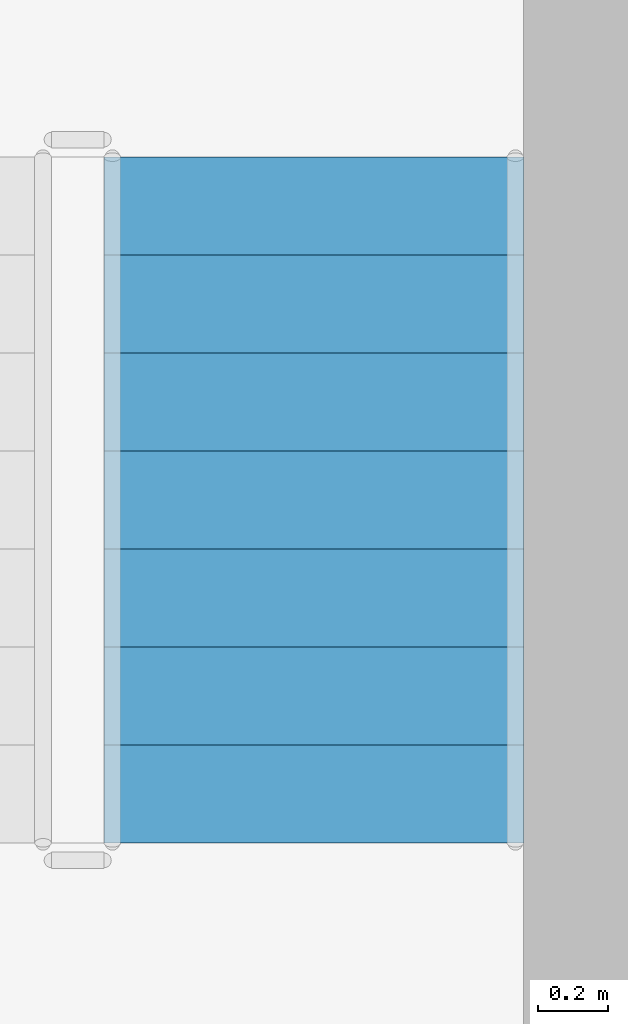
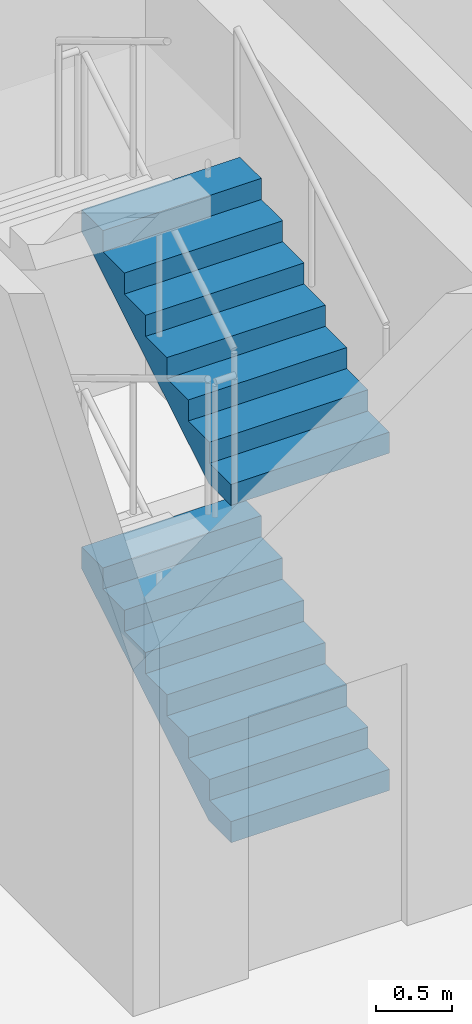
# One storey, part 42 of 101: 2 stair flights, 1 element without a shape of its own.
"""IFC4 building model written with IfcOpenShell, lengths in metres."""

from ifc_helpers import new_model, si_unit, direction, frame, origin, place, context, subcontext, project, spatial, triangles, material, type_object, element, aggregate, save


model = new_model("IFC4")

# Units and contexts
model_context = context("Model", 3, precision=1e-05, world=origin(), true_north=direction((0.0, 1.0)))
body_context = subcontext(model_context, "Body", "Model", "MODEL_VIEW")
ifc_project = project(units=[si_unit("LENGTHUNIT", "METRE"), si_unit("AREAUNIT", "SQUARE_METRE"), si_unit("VOLUMEUNIT", "CUBIC_METRE"), si_unit("PLANEANGLEUNIT", "RADIAN"), si_unit("MASSUNIT", "GRAM", prefix="KILO")], contexts=[model_context])

# Site, building, storey
site_placement = place(None, origin())
site = spatial("IfcSite", under=ifc_project, at=site_placement, CompositionType="ELEMENT")
building_placement = place(site_placement, origin())
building = spatial("IfcBuilding", under=site, at=building_placement, Name="Magnolia Steps Interchange", CompositionType="ELEMENT")
storey_placement = place(building_placement, frame((0.0, 0.0, -5.39990234375)))
storey = spatial("IfcBuildingStorey", under=building, at=storey_placement, Name="B1", CompositionType="ELEMENT", Elevation=-5.39990234375)

# Stair, stair flights
ifc_material_1 = material(Name="Concrete C40", Category="concrete")
stair_type = type_object("IfcStairType", Name="Exit stair 1200", PredefinedType="HALF_TURN_STAIR", material=ifc_material_1)
stair_placement = place(storey_placement, origin())
stair = element("IfcStair", 1, at=stair_placement, inside=storey, type_object=stair_type, Name="B1 Stair 18", PredefinedType="HALF_TURN_STAIR")
ifc_material_2 = material(Name="Concrete C40", Category="concrete")
stair_flight_type = type_object("IfcStairFlightType", Name="Exit stair flight", PredefinedType="STRAIGHT", material=ifc_material_2)
stair_flight_1_placement = place(storey_placement, frame((52.10009765625, 38.699951171875, 0.0), z_axis=(0.0, 0.0, 1.0), x_axis=(0.0, 1.0, 0.0)))
stair_flight_1 = element("IfcStairFlight", 2, at=stair_flight_1_placement, type_object=stair_flight_type, Name="Stair 18 flight 1", NumberOfRisers=8, NumberOfTreads=7, PredefinedType="STRAIGHT", RiserHeight=0.16875, TreadLength=0.28, context=body_context, shape_type="Tessellation", body=[
    triangles([(0.0, -0.5999755859375, 0.0), (0.29052734375, -0.5999755859375, 0.0), (1.9599609375, -0.5999755859375, 1.00634765625), (1.9599609375, -0.5999755859375, 1.18115234375), (1.679931640625, -0.5999755859375, 1.18115234375), (1.679931640625, -0.5999755859375, 1.012451171875), (1.39990234375, -0.5999755859375, 1.012451171875), (1.39990234375, -0.5999755859375, 0.84375), (1.1201171875, -0.5999755859375, 0.84375), (1.1201171875, -0.5999755859375, 0.675048828125), (0.840087890625, -0.5999755859375, 0.675048828125), (0.840087890625, -0.5999755859375, 0.50634765625), (0.56005859375, -0.5999755859375, 0.50634765625), (0.56005859375, -0.5999755859375, 0.33740234375), (0.280029296875, -0.5999755859375, 0.33740234375), (0.280029296875, -0.5999755859375, 0.168701171875), (0.0, -0.5999755859375, 0.168701171875), (0.0, 0.5999755859375, 0.0), (0.29052734375, 0.5999755859375, 0.0), (1.9599609375, 0.5999755859375, 1.00634765625), (1.9599609375, 0.5999755859375, 1.18115234375), (1.679931640625, 0.5999755859375, 1.18115234375), (1.679931640625, 0.5999755859375, 1.012451171875), (1.39990234375, 0.5999755859375, 1.012451171875), (1.39990234375, 0.5999755859375, 0.84375), (1.1201171875, 0.5999755859375, 0.84375), (1.1201171875, 0.5999755859375, 0.675048828125), (0.840087890625, 0.5999755859375, 0.675048828125), (0.840087890625, 0.5999755859375, 0.50634765625), (0.56005859375, 0.5999755859375, 0.50634765625), (0.56005859375, 0.5999755859375, 0.33740234375), (0.280029296875, 0.5999755859375, 0.33740234375), (0.280029296875, 0.5999755859375, 0.168701171875), (0.0, 0.5999755859375, 0.168701171875), (0.0, 0.0, 0.0), (0.0, 0.0, 0.04217529296875), (0.0, 0.0, 0.0843505859375), (0.0, 0.0, 0.12652587890625), (0.0, 0.0, 0.168701171875), (0.0, -0.05, 0.0), (0.0, -0.05, 0.168701171875), (0.0, 0.05, 0.0), (0.0, 0.05, 0.168701171875), (0.046671549479166664, 0.0, 0.168701171875), (0.09334309895833333, 0.0, 0.168701171875), (0.1400146484375, 0.0, 0.168701171875), (0.18668619791666666, 0.0, 0.168701171875), (0.23335774739583334, 0.0, 0.168701171875), (0.280029296875, 0.0, 0.168701171875), (0.280029296875, -0.05, 0.168701171875), (0.280029296875, 0.05, 0.168701171875), (0.280029296875, 0.0, 0.21087646484375), (0.280029296875, 0.0, 0.2530517578125), (0.280029296875, 0.0, 0.29522705078125), (0.280029296875, 0.0, 0.33740234375), (0.280029296875, -0.05, 0.33740234375), (0.280029296875, 0.05, 0.33740234375), (0.3267008463541667, 0.0, 0.33740234375), (0.3733723958333333, 0.0, 0.33740234375), (0.4200439453125, 0.0, 0.33740234375), (0.46671549479166663, 0.0, 0.33740234375), (0.5133870442708334, 0.0, 0.33740234375), (0.56005859375, 0.0, 0.33740234375), (0.56005859375, -0.05, 0.33740234375), (0.56005859375, 0.05, 0.33740234375), (0.56005859375, 0.0, 0.379638671875), (0.56005859375, 0.0, 0.421875), (0.56005859375, 0.0, 0.464111328125), (0.56005859375, 0.0, 0.50634765625), (0.56005859375, -0.05, 0.50634765625), (0.56005859375, 0.05, 0.50634765625), (0.6067301432291666, 0.0, 0.50634765625), (0.6534016927083334, 0.0, 0.50634765625), (0.7000732421875, 0.0, 0.50634765625), (0.7467447916666666, 0.0, 0.50634765625), (0.7934163411458334, 0.0, 0.50634765625), (0.840087890625, 0.0, 0.50634765625), (0.840087890625, -0.05, 0.50634765625), (0.840087890625, 0.05, 0.50634765625), (0.840087890625, 0.0, 0.54852294921875), (0.840087890625, 0.0, 0.5906982421875), (0.840087890625, 0.0, 0.63287353515625), (0.840087890625, 0.0, 0.675048828125), (0.840087890625, -0.05, 0.675048828125), (0.840087890625, 0.05, 0.675048828125), (0.8867594401041666, 0.0, 0.675048828125), (0.9334309895833334, 0.0, 0.675048828125), (0.9801025390625, 0.0, 0.675048828125), (1.0267740885416667, 0.0, 0.675048828125), (1.0734456380208333, 0.0, 0.675048828125), (1.1201171875, 0.0, 0.675048828125), (1.1201171875, -0.05, 0.675048828125), (1.1201171875, 0.05, 0.675048828125), (1.1201171875, 0.0, 0.71722412109375), (1.1201171875, 0.0, 0.7593994140625), (1.1201171875, 0.0, 0.80157470703125), (1.1201171875, 0.0, 0.84375), (1.1201171875, -0.05, 0.84375), (1.1201171875, 0.05, 0.84375), (1.1900634765625, 0.0, 0.84375), (1.260009765625, 0.0, 0.84375), (1.3299560546875, 0.0, 0.84375), (1.39990234375, 0.0, 0.84375), (1.39990234375, -0.05, 0.84375), (1.39990234375, 0.05, 0.84375), (1.39990234375, 0.0, 0.88592529296875), (1.39990234375, 0.0, 0.9281005859375), (1.39990234375, 0.0, 0.97027587890625), (1.39990234375, 0.0, 1.012451171875), (1.39990234375, -0.05, 1.012451171875), (1.39990234375, 0.05, 1.012451171875), (1.4465738932291667, 0.0, 1.012451171875), (1.4932454427083333, 0.0, 1.012451171875), (1.5399169921875, 0.0, 1.012451171875), (1.5865885416666667, 0.0, 1.012451171875), (1.6332600911458333, 0.0, 1.012451171875), (1.679931640625, 0.0, 1.012451171875), (1.679931640625, -0.05, 1.012451171875), (1.679931640625, 0.05, 1.012451171875), (1.679931640625, 0.0, 1.05462646484375), (1.679931640625, 0.0, 1.0968017578125), (1.679931640625, 0.0, 1.13897705078125), (1.679931640625, 0.0, 1.18115234375), (1.679931640625, -0.05, 1.18115234375), (1.679931640625, 0.05, 1.18115234375), (1.7266031901041667, 0.0, 1.18115234375), (1.7732747395833333, 0.0, 1.18115234375), (1.8199462890625, 0.0, 1.18115234375), (1.8666178385416667, 0.0, 1.18115234375), (1.9132893880208333, 0.0, 1.18115234375), (1.9599609375, 0.0, 1.18115234375), (1.9599609375, -0.05, 1.18115234375), (1.9599609375, 0.05, 1.18115234375), (1.9599609375, 0.0, 1.137451171875), (1.9599609375, 0.0, 1.09375), (1.9599609375, 0.0, 1.050048828125), (1.9599609375, 0.0, 1.00634765625), (1.9599609375, -0.05, 1.00634765625), (1.9599609375, 0.05, 1.00634765625), (1.9003383091517858, 0.0, 0.9704066685267857), (1.8407156808035714, 0.0, 0.9344656808035714), (1.7810930524553572, 0.0, 0.8985246930803571), (1.7214704241071428, 0.0, 0.8625837053571428), (1.6618477957589286, 0.0, 0.8266427176339286), (1.6022251674107144, 0.0, 0.7907017299107143), (1.5426025390625, 0.0, 0.7547607421875), (1.4829799107142856, 0.0, 0.7188197544642857), (1.4233572823660714, 0.0, 0.6828787667410714), (1.3637346540178572, 0.0, 0.6469377790178572), (1.3041120256696428, 0.0, 0.6109967912946428), (1.2444893973214286, 0.0, 0.5750558035714286), (1.1848667689732144, 0.0, 0.5391148158482143), (1.125244140625, 0.0, 0.503173828125), (1.0656215122767856, 0.0, 0.4672328404017857), (1.0059988839285714, 0.0, 0.4312918526785714), (0.9463762555803572, 0.0, 0.3953508649553571), (0.8867536272321428, 0.0, 0.3594098772321429), (0.8271309988839286, 0.0, 0.3234688895089286), (0.7675083705357142, 0.0, 0.2875279017857143), (0.7078857421875, 0.0, 0.2515869140625), (0.6482631138392858, 0.0, 0.2156459263392857), (0.5886404854910714, 0.0, 0.1797049386160714), (0.5290178571428572, 0.0, 0.1437639508928571), (0.4693952287946428, 0.0, 0.1078229631696429), (0.4097726004464286, 0.0, 0.0718819754464286), (0.3501499720982142, 0.0, 0.0359409877232143), (0.29052734375, 0.0, 0.0), (0.29052734375, -0.05, 0.0), (0.29052734375, 0.05, 0.0), (0.24210611979166666, 0.0, 0.0), (0.19368489583333331, 0.0, 0.0), (0.145263671875, 0.0, 0.0), (0.09684244791666666, 0.0, 0.0), (0.04842122395833334, 0.0, 0.0)], [[1, 2, 3], [3, 4, 5], [3, 5, 6], [3, 6, 7], [3, 7, 8], [8, 9, 10], [3, 8, 10], [10, 11, 12], [3, 10, 12], [12, 13, 14], [3, 12, 14], [14, 15, 16], [3, 14, 16], [1, 3, 16], [16, 17, 1], [18, 20, 19], [20, 22, 21], [20, 23, 22], [20, 24, 23], [20, 25, 24], [25, 27, 26], [20, 27, 25], [27, 29, 28], [20, 29, 27], [29, 31, 30], [20, 31, 29], [31, 33, 32], [20, 33, 31], [18, 33, 20], [33, 18, 34], [1, 17, 41], [1, 41, 40], [40, 36, 35], [40, 37, 36], [40, 41, 37], [41, 38, 37], [41, 39, 38], [18, 43, 34], [18, 42, 43], [42, 35, 36], [42, 36, 37], [42, 37, 43], [43, 37, 38], [43, 38, 39], [17, 16, 50], [17, 50, 41], [41, 44, 39], [41, 45, 44], [41, 46, 45], [41, 50, 46], [50, 47, 46], [50, 48, 47], [50, 49, 48], [34, 51, 33], [34, 43, 51], [43, 39, 44], [43, 44, 45], [43, 45, 46], [43, 46, 51], [51, 46, 47], [51, 47, 48], [51, 48, 49], [16, 15, 56], [16, 56, 50], [50, 52, 49], [50, 53, 52], [50, 56, 53], [56, 54, 53], [56, 55, 54], [33, 57, 32], [33, 51, 57], [51, 49, 52], [51, 52, 53], [51, 53, 57], [57, 53, 54], [57, 54, 55], [15, 14, 64], [15, 64, 56], [56, 58, 55], [56, 59, 58], [56, 60, 59], [56, 64, 60], [64, 61, 60], [64, 62, 61], [64, 63, 62], [32, 65, 31], [32, 57, 65], [57, 55, 58], [57, 58, 59], [57, 59, 60], [57, 60, 65], [65, 60, 61], [65, 61, 62], [65, 62, 63], [14, 13, 70], [14, 70, 64], [64, 66, 63], [64, 67, 66], [64, 70, 67], [70, 68, 67], [70, 69, 68], [31, 71, 30], [31, 65, 71], [65, 63, 66], [65, 66, 67], [65, 67, 71], [71, 67, 68], [71, 68, 69], [13, 12, 78], [13, 78, 70], [70, 72, 69], [70, 73, 72], [70, 74, 73], [70, 78, 74], [78, 75, 74], [78, 76, 75], [78, 77, 76], [30, 79, 29], [30, 71, 79], [71, 69, 72], [71, 72, 73], [71, 73, 74], [71, 74, 79], [79, 74, 75], [79, 75, 76], [79, 76, 77], [12, 11, 84], [12, 84, 78], [78, 80, 77], [78, 81, 80], [78, 84, 81], [84, 82, 81], [84, 83, 82], [29, 85, 28], [29, 79, 85], [79, 77, 80], [79, 80, 81], [79, 81, 85], [85, 81, 82], [85, 82, 83], [11, 10, 92], [11, 92, 84], [84, 86, 83], [84, 87, 86], [84, 88, 87], [84, 92, 88], [92, 89, 88], [92, 90, 89], [92, 91, 90], [28, 93, 27], [28, 85, 93], [85, 83, 86], [85, 86, 87], [85, 87, 88], [85, 88, 93], [93, 88, 89], [93, 89, 90], [93, 90, 91], [10, 9, 98], [10, 98, 92], [92, 94, 91], [92, 95, 94], [92, 98, 95], [98, 96, 95], [98, 97, 96], [27, 99, 26], [27, 93, 99], [93, 91, 94], [93, 94, 95], [93, 95, 99], [99, 95, 96], [99, 96, 97], [9, 8, 104], [9, 104, 98], [98, 100, 97], [98, 101, 100], [98, 104, 101], [104, 102, 101], [104, 103, 102], [26, 105, 25], [26, 99, 105], [99, 97, 100], [99, 100, 101], [99, 101, 105], [105, 101, 102], [105, 102, 103], [8, 7, 110], [8, 110, 104], [104, 106, 103], [104, 107, 106], [104, 110, 107], [110, 108, 107], [110, 109, 108], [25, 111, 24], [25, 105, 111], [105, 103, 106], [105, 106, 107], [105, 107, 111], [111, 107, 108], [111, 108, 109], [7, 6, 118], [7, 118, 110], [110, 112, 109], [110, 113, 112], [110, 114, 113], [110, 118, 114], [118, 115, 114], [118, 116, 115], [118, 117, 116], [24, 119, 23], [24, 111, 119], [111, 109, 112], [111, 112, 113], [111, 113, 114], [111, 114, 119], [119, 114, 115], [119, 115, 116], [119, 116, 117], [6, 5, 124], [6, 124, 118], [118, 120, 117], [118, 121, 120], [118, 124, 121], [124, 122, 121], [124, 123, 122], [23, 125, 22], [23, 119, 125], [119, 117, 120], [119, 120, 121], [119, 121, 125], [125, 121, 122], [125, 122, 123], [5, 4, 132], [5, 132, 124], [124, 126, 123], [124, 127, 126], [124, 128, 127], [124, 132, 128], [132, 129, 128], [132, 130, 129], [132, 131, 130], [22, 133, 21], [22, 125, 133], [125, 123, 126], [125, 126, 127], [125, 127, 128], [125, 128, 133], [133, 128, 129], [133, 129, 130], [133, 130, 131], [4, 3, 138], [4, 138, 132], [132, 134, 131], [132, 135, 134], [132, 138, 135], [138, 136, 135], [138, 137, 136], [21, 139, 20], [21, 133, 139], [133, 131, 134], [133, 134, 135], [133, 135, 139], [139, 135, 136], [139, 136, 137], [3, 2, 168], [3, 168, 138], [138, 140, 137], [138, 141, 140], [138, 142, 141], [138, 143, 142], [138, 144, 143], [138, 145, 144], [138, 146, 145], [138, 147, 146], [138, 148, 147], [138, 149, 148], [138, 150, 149], [138, 151, 150], [138, 152, 151], [138, 153, 152], [138, 168, 153], [168, 154, 153], [168, 155, 154], [168, 156, 155], [168, 157, 156], [168, 158, 157], [168, 159, 158], [168, 160, 159], [168, 161, 160], [168, 162, 161], [168, 163, 162], [168, 164, 163], [168, 165, 164], [168, 166, 165], [168, 167, 166], [20, 169, 19], [20, 139, 169], [139, 137, 140], [139, 140, 141], [139, 141, 142], [139, 142, 143], [139, 143, 144], [139, 144, 145], [139, 145, 146], [139, 146, 147], [139, 147, 148], [139, 148, 149], [139, 149, 150], [139, 150, 151], [139, 151, 152], [139, 152, 153], [139, 153, 169], [169, 153, 154], [169, 154, 155], [169, 155, 156], [169, 156, 157], [169, 157, 158], [169, 158, 159], [169, 159, 160], [169, 160, 161], [169, 161, 162], [169, 162, 163], [169, 163, 164], [169, 164, 165], [169, 165, 166], [169, 166, 167], [2, 1, 40], [2, 40, 168], [168, 170, 167], [168, 171, 170], [168, 172, 171], [168, 40, 172], [40, 173, 172], [40, 174, 173], [40, 35, 174], [19, 42, 18], [19, 169, 42], [169, 167, 170], [169, 170, 171], [169, 171, 172], [169, 172, 42], [42, 172, 173], [42, 173, 174], [42, 174, 35]], closed=True),
])
stair_flight_2_placement = place(storey_placement, frame((52.10009765625, 38.699951171875, 2.699951171875), z_axis=(0.0, 0.0, 1.0), x_axis=(0.0, 1.0, 0.0)))
stair_flight_2 = element("IfcStairFlight", 3, at=stair_flight_2_placement, type_object=stair_flight_type, Name="Stair 18 flight 3", NumberOfRisers=8, NumberOfTreads=7, PredefinedType="STRAIGHT", RiserHeight=0.16875, TreadLength=0.28, context=body_context, shape_type="Tessellation", body=[
    triangles([(0.0, -0.5999755859375, 0.0), (0.29052734375, -0.5999755859375, 0.0), (1.9599609375, -0.5999755859375, 1.00634765625), (1.9599609375, -0.5999755859375, 1.18115234375), (1.679931640625, -0.5999755859375, 1.18115234375), (1.679931640625, -0.5999755859375, 1.012451171875), (1.39990234375, -0.5999755859375, 1.012451171875), (1.39990234375, -0.5999755859375, 0.84375), (1.1201171875, -0.5999755859375, 0.84375), (1.1201171875, -0.5999755859375, 0.675048828125), (0.840087890625, -0.5999755859375, 0.675048828125), (0.840087890625, -0.5999755859375, 0.50634765625), (0.56005859375, -0.5999755859375, 0.50634765625), (0.56005859375, -0.5999755859375, 0.33740234375), (0.280029296875, -0.5999755859375, 0.33740234375), (0.280029296875, -0.5999755859375, 0.168701171875), (0.0, -0.5999755859375, 0.168701171875), (0.0, 0.5999755859375, 0.0), (0.29052734375, 0.5999755859375, 0.0), (1.9599609375, 0.5999755859375, 1.00634765625), (1.9599609375, 0.5999755859375, 1.18115234375), (1.679931640625, 0.5999755859375, 1.18115234375), (1.679931640625, 0.5999755859375, 1.012451171875), (1.39990234375, 0.5999755859375, 1.012451171875), (1.39990234375, 0.5999755859375, 0.84375), (1.1201171875, 0.5999755859375, 0.84375), (1.1201171875, 0.5999755859375, 0.675048828125), (0.840087890625, 0.5999755859375, 0.675048828125), (0.840087890625, 0.5999755859375, 0.50634765625), (0.56005859375, 0.5999755859375, 0.50634765625), (0.56005859375, 0.5999755859375, 0.33740234375), (0.280029296875, 0.5999755859375, 0.33740234375), (0.280029296875, 0.5999755859375, 0.168701171875), (0.0, 0.5999755859375, 0.168701171875), (0.0, 0.0, 0.0), (0.0, 0.0, 0.04217529296875), (0.0, 0.0, 0.0843505859375), (0.0, 0.0, 0.12652587890625), (0.0, 0.0, 0.168701171875), (0.0, -0.05, 0.0), (0.0, -0.05, 0.168701171875), (0.0, 0.05, 0.0), (0.0, 0.05, 0.168701171875), (0.046671549479166664, 0.0, 0.168701171875), (0.09334309895833333, 0.0, 0.168701171875), (0.1400146484375, 0.0, 0.168701171875), (0.18668619791666666, 0.0, 0.168701171875), (0.23335774739583334, 0.0, 0.168701171875), (0.280029296875, 0.0, 0.168701171875), (0.280029296875, -0.05, 0.168701171875), (0.280029296875, 0.05, 0.168701171875), (0.280029296875, 0.0, 0.21087646484375), (0.280029296875, 0.0, 0.2530517578125), (0.280029296875, 0.0, 0.29522705078125), (0.280029296875, 0.0, 0.33740234375), (0.280029296875, -0.05, 0.33740234375), (0.280029296875, 0.05, 0.33740234375), (0.3267008463541667, 0.0, 0.33740234375), (0.3733723958333333, 0.0, 0.33740234375), (0.4200439453125, 0.0, 0.33740234375), (0.46671549479166663, 0.0, 0.33740234375), (0.5133870442708334, 0.0, 0.33740234375), (0.56005859375, 0.0, 0.33740234375), (0.56005859375, -0.05, 0.33740234375), (0.56005859375, 0.05, 0.33740234375), (0.56005859375, 0.0, 0.379638671875), (0.56005859375, 0.0, 0.421875), (0.56005859375, 0.0, 0.464111328125), (0.56005859375, 0.0, 0.50634765625), (0.56005859375, -0.05, 0.50634765625), (0.56005859375, 0.05, 0.50634765625), (0.6067301432291666, 0.0, 0.50634765625), (0.6534016927083334, 0.0, 0.50634765625), (0.7000732421875, 0.0, 0.50634765625), (0.7467447916666666, 0.0, 0.50634765625), (0.7934163411458334, 0.0, 0.50634765625), (0.840087890625, 0.0, 0.50634765625), (0.840087890625, -0.05, 0.50634765625), (0.840087890625, 0.05, 0.50634765625), (0.840087890625, 0.0, 0.54852294921875), (0.840087890625, 0.0, 0.5906982421875), (0.840087890625, 0.0, 0.63287353515625), (0.840087890625, 0.0, 0.675048828125), (0.840087890625, -0.05, 0.675048828125), (0.840087890625, 0.05, 0.675048828125), (0.8867594401041666, 0.0, 0.675048828125), (0.9334309895833334, 0.0, 0.675048828125), (0.9801025390625, 0.0, 0.675048828125), (1.0267740885416667, 0.0, 0.675048828125), (1.0734456380208333, 0.0, 0.675048828125), (1.1201171875, 0.0, 0.675048828125), (1.1201171875, -0.05, 0.675048828125), (1.1201171875, 0.05, 0.675048828125), (1.1201171875, 0.0, 0.71722412109375), (1.1201171875, 0.0, 0.7593994140625), (1.1201171875, 0.0, 0.80157470703125), (1.1201171875, 0.0, 0.84375), (1.1201171875, -0.05, 0.84375), (1.1201171875, 0.05, 0.84375), (1.1900634765625, 0.0, 0.84375), (1.260009765625, 0.0, 0.84375), (1.3299560546875, 0.0, 0.84375), (1.39990234375, 0.0, 0.84375), (1.39990234375, -0.05, 0.84375), (1.39990234375, 0.05, 0.84375), (1.39990234375, 0.0, 0.88592529296875), (1.39990234375, 0.0, 0.9281005859375), (1.39990234375, 0.0, 0.97027587890625), (1.39990234375, 0.0, 1.012451171875), (1.39990234375, -0.05, 1.012451171875), (1.39990234375, 0.05, 1.012451171875), (1.4465738932291667, 0.0, 1.012451171875), (1.4932454427083333, 0.0, 1.012451171875), (1.5399169921875, 0.0, 1.012451171875), (1.5865885416666667, 0.0, 1.012451171875), (1.6332600911458333, 0.0, 1.012451171875), (1.679931640625, 0.0, 1.012451171875), (1.679931640625, -0.05, 1.012451171875), (1.679931640625, 0.05, 1.012451171875), (1.679931640625, 0.0, 1.05462646484375), (1.679931640625, 0.0, 1.0968017578125), (1.679931640625, 0.0, 1.13897705078125), (1.679931640625, 0.0, 1.18115234375), (1.679931640625, -0.05, 1.18115234375), (1.679931640625, 0.05, 1.18115234375), (1.7266031901041667, 0.0, 1.18115234375), (1.7732747395833333, 0.0, 1.18115234375), (1.8199462890625, 0.0, 1.18115234375), (1.8666178385416667, 0.0, 1.18115234375), (1.9132893880208333, 0.0, 1.18115234375), (1.9599609375, 0.0, 1.18115234375), (1.9599609375, -0.05, 1.18115234375), (1.9599609375, 0.05, 1.18115234375), (1.9599609375, 0.0, 1.137451171875), (1.9599609375, 0.0, 1.09375), (1.9599609375, 0.0, 1.050048828125), (1.9599609375, 0.0, 1.00634765625), (1.9599609375, -0.05, 1.00634765625), (1.9599609375, 0.05, 1.00634765625), (1.9003383091517858, 0.0, 0.9704066685267857), (1.8407156808035714, 0.0, 0.9344656808035714), (1.7810930524553572, 0.0, 0.8985246930803571), (1.7214704241071428, 0.0, 0.8625837053571428), (1.6618477957589286, 0.0, 0.8266427176339286), (1.6022251674107144, 0.0, 0.7907017299107143), (1.5426025390625, 0.0, 0.7547607421875), (1.4829799107142856, 0.0, 0.7188197544642857), (1.4233572823660714, 0.0, 0.6828787667410714), (1.3637346540178572, 0.0, 0.6469377790178572), (1.3041120256696428, 0.0, 0.6109967912946428), (1.2444893973214286, 0.0, 0.5750558035714286), (1.1848667689732144, 0.0, 0.5391148158482143), (1.125244140625, 0.0, 0.503173828125), (1.0656215122767856, 0.0, 0.4672328404017857), (1.0059988839285714, 0.0, 0.4312918526785714), (0.9463762555803572, 0.0, 0.3953508649553571), (0.8867536272321428, 0.0, 0.3594098772321429), (0.8271309988839286, 0.0, 0.3234688895089286), (0.7675083705357142, 0.0, 0.2875279017857143), (0.7078857421875, 0.0, 0.2515869140625), (0.6482631138392858, 0.0, 0.2156459263392857), (0.5886404854910714, 0.0, 0.1797049386160714), (0.5290178571428572, 0.0, 0.1437639508928571), (0.4693952287946428, 0.0, 0.1078229631696429), (0.4097726004464286, 0.0, 0.0718819754464286), (0.3501499720982142, 0.0, 0.0359409877232143), (0.29052734375, 0.0, 0.0), (0.29052734375, -0.05, 0.0), (0.29052734375, 0.05, 0.0), (0.24210611979166666, 0.0, 0.0), (0.19368489583333331, 0.0, 0.0), (0.145263671875, 0.0, 0.0), (0.09684244791666666, 0.0, 0.0), (0.04842122395833334, 0.0, 0.0)], [[1, 2, 3], [3, 4, 5], [3, 5, 6], [3, 6, 7], [3, 7, 8], [8, 9, 10], [3, 8, 10], [10, 11, 12], [3, 10, 12], [12, 13, 14], [3, 12, 14], [14, 15, 16], [3, 14, 16], [1, 3, 16], [16, 17, 1], [18, 20, 19], [20, 22, 21], [20, 23, 22], [20, 24, 23], [20, 25, 24], [25, 27, 26], [20, 27, 25], [27, 29, 28], [20, 29, 27], [29, 31, 30], [20, 31, 29], [31, 33, 32], [20, 33, 31], [18, 33, 20], [33, 18, 34], [1, 17, 41], [1, 41, 40], [40, 36, 35], [40, 37, 36], [40, 41, 37], [41, 38, 37], [41, 39, 38], [18, 43, 34], [18, 42, 43], [42, 35, 36], [42, 36, 37], [42, 37, 43], [43, 37, 38], [43, 38, 39], [17, 16, 50], [17, 50, 41], [41, 44, 39], [41, 45, 44], [41, 46, 45], [41, 50, 46], [50, 47, 46], [50, 48, 47], [50, 49, 48], [34, 51, 33], [34, 43, 51], [43, 39, 44], [43, 44, 45], [43, 45, 46], [43, 46, 51], [51, 46, 47], [51, 47, 48], [51, 48, 49], [16, 15, 56], [16, 56, 50], [50, 52, 49], [50, 53, 52], [50, 56, 53], [56, 54, 53], [56, 55, 54], [33, 57, 32], [33, 51, 57], [51, 49, 52], [51, 52, 53], [51, 53, 57], [57, 53, 54], [57, 54, 55], [15, 14, 64], [15, 64, 56], [56, 58, 55], [56, 59, 58], [56, 60, 59], [56, 64, 60], [64, 61, 60], [64, 62, 61], [64, 63, 62], [32, 65, 31], [32, 57, 65], [57, 55, 58], [57, 58, 59], [57, 59, 60], [57, 60, 65], [65, 60, 61], [65, 61, 62], [65, 62, 63], [14, 13, 70], [14, 70, 64], [64, 66, 63], [64, 67, 66], [64, 70, 67], [70, 68, 67], [70, 69, 68], [31, 71, 30], [31, 65, 71], [65, 63, 66], [65, 66, 67], [65, 67, 71], [71, 67, 68], [71, 68, 69], [13, 12, 78], [13, 78, 70], [70, 72, 69], [70, 73, 72], [70, 74, 73], [70, 78, 74], [78, 75, 74], [78, 76, 75], [78, 77, 76], [30, 79, 29], [30, 71, 79], [71, 69, 72], [71, 72, 73], [71, 73, 74], [71, 74, 79], [79, 74, 75], [79, 75, 76], [79, 76, 77], [12, 11, 84], [12, 84, 78], [78, 80, 77], [78, 81, 80], [78, 84, 81], [84, 82, 81], [84, 83, 82], [29, 85, 28], [29, 79, 85], [79, 77, 80], [79, 80, 81], [79, 81, 85], [85, 81, 82], [85, 82, 83], [11, 10, 92], [11, 92, 84], [84, 86, 83], [84, 87, 86], [84, 88, 87], [84, 92, 88], [92, 89, 88], [92, 90, 89], [92, 91, 90], [28, 93, 27], [28, 85, 93], [85, 83, 86], [85, 86, 87], [85, 87, 88], [85, 88, 93], [93, 88, 89], [93, 89, 90], [93, 90, 91], [10, 9, 98], [10, 98, 92], [92, 94, 91], [92, 95, 94], [92, 98, 95], [98, 96, 95], [98, 97, 96], [27, 99, 26], [27, 93, 99], [93, 91, 94], [93, 94, 95], [93, 95, 99], [99, 95, 96], [99, 96, 97], [9, 8, 104], [9, 104, 98], [98, 100, 97], [98, 101, 100], [98, 104, 101], [104, 102, 101], [104, 103, 102], [26, 105, 25], [26, 99, 105], [99, 97, 100], [99, 100, 101], [99, 101, 105], [105, 101, 102], [105, 102, 103], [8, 7, 110], [8, 110, 104], [104, 106, 103], [104, 107, 106], [104, 110, 107], [110, 108, 107], [110, 109, 108], [25, 111, 24], [25, 105, 111], [105, 103, 106], [105, 106, 107], [105, 107, 111], [111, 107, 108], [111, 108, 109], [7, 6, 118], [7, 118, 110], [110, 112, 109], [110, 113, 112], [110, 114, 113], [110, 118, 114], [118, 115, 114], [118, 116, 115], [118, 117, 116], [24, 119, 23], [24, 111, 119], [111, 109, 112], [111, 112, 113], [111, 113, 114], [111, 114, 119], [119, 114, 115], [119, 115, 116], [119, 116, 117], [6, 5, 124], [6, 124, 118], [118, 120, 117], [118, 121, 120], [118, 124, 121], [124, 122, 121], [124, 123, 122], [23, 125, 22], [23, 119, 125], [119, 117, 120], [119, 120, 121], [119, 121, 125], [125, 121, 122], [125, 122, 123], [5, 4, 132], [5, 132, 124], [124, 126, 123], [124, 127, 126], [124, 128, 127], [124, 132, 128], [132, 129, 128], [132, 130, 129], [132, 131, 130], [22, 133, 21], [22, 125, 133], [125, 123, 126], [125, 126, 127], [125, 127, 128], [125, 128, 133], [133, 128, 129], [133, 129, 130], [133, 130, 131], [4, 3, 138], [4, 138, 132], [132, 134, 131], [132, 135, 134], [132, 138, 135], [138, 136, 135], [138, 137, 136], [21, 139, 20], [21, 133, 139], [133, 131, 134], [133, 134, 135], [133, 135, 139], [139, 135, 136], [139, 136, 137], [3, 2, 168], [3, 168, 138], [138, 140, 137], [138, 141, 140], [138, 142, 141], [138, 143, 142], [138, 144, 143], [138, 145, 144], [138, 146, 145], [138, 147, 146], [138, 148, 147], [138, 149, 148], [138, 150, 149], [138, 151, 150], [138, 152, 151], [138, 153, 152], [138, 168, 153], [168, 154, 153], [168, 155, 154], [168, 156, 155], [168, 157, 156], [168, 158, 157], [168, 159, 158], [168, 160, 159], [168, 161, 160], [168, 162, 161], [168, 163, 162], [168, 164, 163], [168, 165, 164], [168, 166, 165], [168, 167, 166], [20, 169, 19], [20, 139, 169], [139, 137, 140], [139, 140, 141], [139, 141, 142], [139, 142, 143], [139, 143, 144], [139, 144, 145], [139, 145, 146], [139, 146, 147], [139, 147, 148], [139, 148, 149], [139, 149, 150], [139, 150, 151], [139, 151, 152], [139, 152, 153], [139, 153, 169], [169, 153, 154], [169, 154, 155], [169, 155, 156], [169, 156, 157], [169, 157, 158], [169, 158, 159], [169, 159, 160], [169, 160, 161], [169, 161, 162], [169, 162, 163], [169, 163, 164], [169, 164, 165], [169, 165, 166], [169, 166, 167], [2, 1, 40], [2, 40, 168], [168, 170, 167], [168, 171, 170], [168, 172, 171], [168, 40, 172], [40, 173, 172], [40, 174, 173], [40, 35, 174], [19, 42, 18], [19, 169, 42], [169, 167, 170], [169, 170, 171], [169, 171, 172], [169, 172, 42], [42, 172, 173], [42, 173, 174], [42, 174, 35]], closed=True),
])
aggregate(stair, [stair_flight_1, stair_flight_2])

save(model, "model.ifc")
